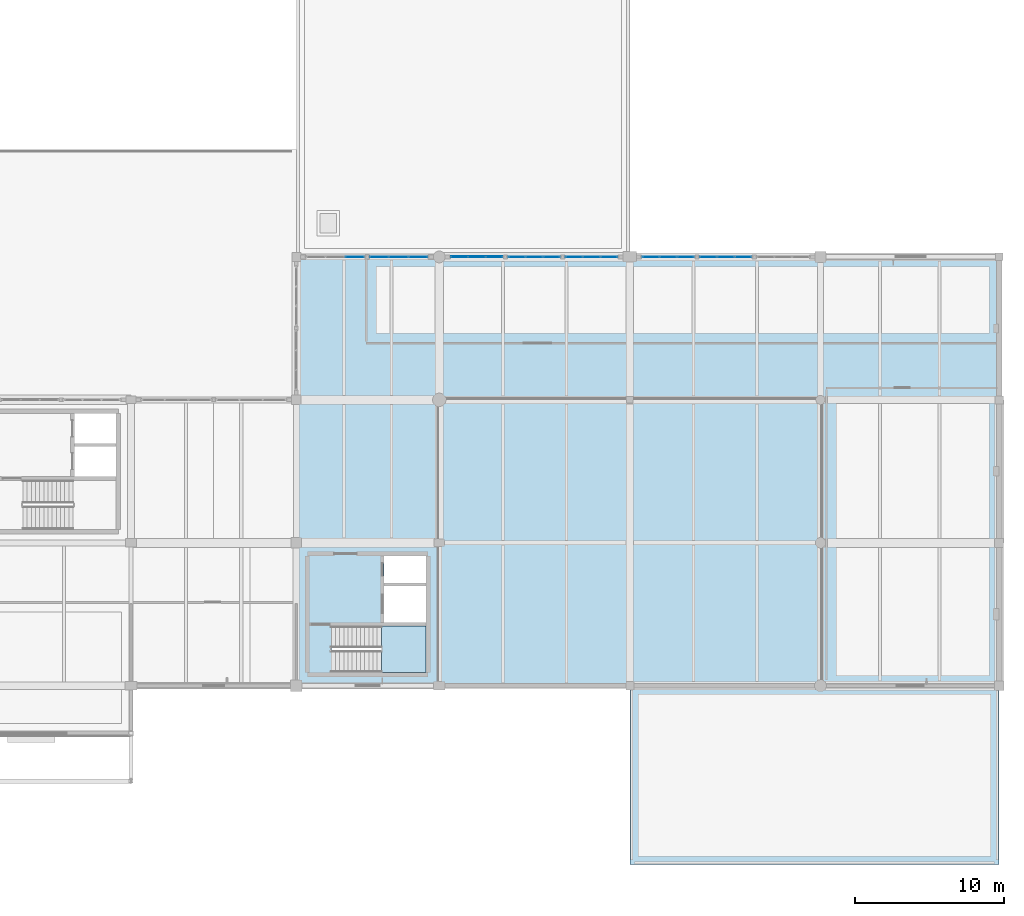
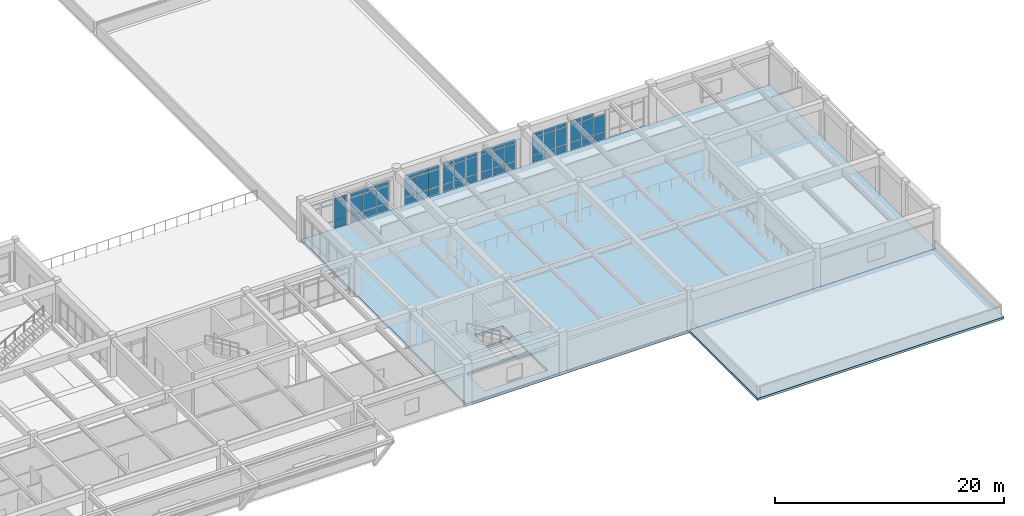
# One storey, part 80 of 109: 56 plates, 3 slabs, 8 elements without a shape of their own.
"""IFC4 building model written with IfcOpenShell, lengths in metres."""

from ifc_helpers import new_model, si_unit, direction, frame, origin, origin_2d, place, context, subcontext, project, spatial, polyline, rectangle, outline, extrude, material, layer, layer_set, type_object, element, aggregate, save


model = new_model("IFC4")

# Units and contexts
model_context = context("Model", 3, precision=1e-05, world=origin(), true_north=direction((0.0, 1.0)))
body_context = subcontext(model_context, "Body", "Model", "MODEL_VIEW")
ifc_project = project(units=[si_unit("LENGTHUNIT", "METRE"), si_unit("AREAUNIT", "SQUARE_METRE"), si_unit("VOLUMEUNIT", "CUBIC_METRE"), si_unit("PLANEANGLEUNIT", "RADIAN"), si_unit("MASSUNIT", "GRAM", prefix="KILO")], contexts=[model_context])

# Site, building, storey
site_placement = place(None, origin())
site = spatial("IfcSite", under=ifc_project, at=site_placement, CompositionType="ELEMENT")
building_placement = place(site_placement, origin())
building = spatial("IfcBuilding", under=site, at=building_placement, Name="Fikremerkos Civic Library", CompositionType="ELEMENT")
storey_placement = place(building_placement, frame((0.0, 0.0, 5.39990234375)))
storey = spatial("IfcBuildingStorey", under=building, at=storey_placement, Name="L01", CompositionType="ELEMENT", Elevation=5.39990234375)

# Curtain wall, plates
ifc_material_1 = material(Name="Anodized aluminium Frame", Category="aluminium")
ifc_layer_1 = layer(ifc_material_1, 0.159912109375, Name="Anodized aluminium Frame")
ifc_layer_set_1 = layer_set([ifc_layer_1], Name="Anodized aluminium Frame")
curtain_wall_type_1 = type_object("IfcCurtainWallType", Name="Unitised curtain wall CW-17 4600x3600", PredefinedType="USERDEFINED", material=ifc_layer_set_1)
curtain_wall_1_placement = place(storey_placement, origin())
curtain_wall_1 = element("IfcCurtainWall", 1, at=curtain_wall_1_placement, inside=storey, type_object=curtain_wall_type_1, Name="Unitised curtain wall CW-17 L01 #107", ObjectType="UNITISED CURTAIN WALL", PredefinedType="USERDEFINED")
ifc_material_2 = material(Name="Solar control double glazing", Category="glass")
ifc_layer_2 = layer(ifc_material_2, 0.028076171875, Name="Solar control double glazing")
ifc_layer_set_2 = layer_set([ifc_layer_2], Name="Solar control double glazing")
plate_type_1 = type_object("IfcPlateType", Name="Curtain glazing panel CWP-01 28", PredefinedType="CURTAIN_PANEL", material=ifc_layer_set_2)
plate_1_placement = place(storey_placement, frame((139.607421875, 40.800048828125, 0.070068359375), z_axis=(0.0, 0.0, 1.0), x_axis=(1.0, 0.0, 0.0)))
plate_1 = element("IfcPlate", 2, at=plate_1_placement, type_object=plate_type_1, Name="CW-17 panel 1.1", PredefinedType="CURTAIN_PANEL", context=body_context, shape_type="SweptSolid", body=[
    extrude(rectangle(XDim=1.086181640625, YDim=0.028076171875, at=origin_2d()), origin(), (0.0, 0.0, 1.0), 0.7451171875),
])
plate_2_placement = place(storey_placement, frame((139.607421875, 40.800048828125, 0.885009765625), z_axis=(0.0, 0.0, 1.0), x_axis=(1.0, 0.0, 0.0)))
plate_2 = element("IfcPlate", 3, at=plate_2_placement, type_object=plate_type_1, Name="CW-17 panel 1.2", PredefinedType="CURTAIN_PANEL", context=body_context, shape_type="SweptSolid", body=[
    extrude(rectangle(XDim=1.086181640625, YDim=0.028076171875, at=origin_2d()), origin(), (0.0, 0.0, 1.0), 1.7900390625),
])
plate_3_placement = place(storey_placement, frame((139.607421875, 40.800048828125, 2.7451171875), z_axis=(0.0, 0.0, 1.0), x_axis=(1.0, 0.0, 0.0)))
plate_3 = element("IfcPlate", 4, at=plate_3_placement, type_object=plate_type_1, Name="CW-17 panel 1.3", PredefinedType="CURTAIN_PANEL", context=body_context, shape_type="SweptSolid", body=[
    extrude(rectangle(XDim=1.086181640625, YDim=0.028076171875, at=origin_2d()), origin(), (0.0, 0.0, 1.0), 0.445068359375),
])
plate_4_placement = place(storey_placement, frame((140.77490234375, 40.800048828125, 0.070068359375), z_axis=(0.0, 0.0, 1.0), x_axis=(1.0, 0.0, 0.0)))
plate_4 = element("IfcPlate", 5, at=plate_4_placement, type_object=plate_type_1, Name="CW-17 panel 2.1", PredefinedType="CURTAIN_PANEL", context=body_context, shape_type="SweptSolid", body=[
    extrude(rectangle(XDim=1.118896484375, YDim=0.028076171875, at=origin_2d()), origin(), (0.0, 0.0, 1.0), 0.7451171875),
])
plate_5_placement = place(storey_placement, frame((140.77490234375, 40.800048828125, 0.885009765625), z_axis=(0.0, 0.0, 1.0), x_axis=(1.0, 0.0, 0.0)))
plate_5 = element("IfcPlate", 6, at=plate_5_placement, type_object=plate_type_1, Name="CW-17 panel 2.2", PredefinedType="CURTAIN_PANEL", context=body_context, shape_type="SweptSolid", body=[
    extrude(rectangle(XDim=1.118896484375, YDim=0.028076171875, at=origin_2d()), origin(), (0.0, 0.0, 1.0), 1.7900390625),
])
plate_6_placement = place(storey_placement, frame((140.77490234375, 40.800048828125, 2.7451171875), z_axis=(0.0, 0.0, 1.0), x_axis=(1.0, 0.0, 0.0)))
plate_6 = element("IfcPlate", 7, at=plate_6_placement, type_object=plate_type_1, Name="CW-17 panel 2.3", PredefinedType="CURTAIN_PANEL", context=body_context, shape_type="SweptSolid", body=[
    extrude(rectangle(XDim=1.118896484375, YDim=0.028076171875, at=origin_2d()), origin(), (0.0, 0.0, 1.0), 0.445068359375),
])
plate_7_placement = place(storey_placement, frame((141.942626953125, 40.800048828125, 0.070068359375), z_axis=(0.0, 0.0, 1.0), x_axis=(1.0, 0.0, 0.0)))
plate_7 = element("IfcPlate", 8, at=plate_7_placement, type_object=plate_type_1, Name="CW-17 panel 3.1", PredefinedType="CURTAIN_PANEL", context=body_context, shape_type="SweptSolid", body=[
    extrude(rectangle(XDim=1.086181640625, YDim=0.028076171875, at=origin_2d()), origin(), (0.0, 0.0, 1.0), 0.7451171875),
])
plate_8_placement = place(storey_placement, frame((141.942626953125, 40.800048828125, 0.885009765625), z_axis=(0.0, 0.0, 1.0), x_axis=(1.0, 0.0, 0.0)))
plate_8 = element("IfcPlate", 9, at=plate_8_placement, type_object=plate_type_1, Name="CW-17 panel 3.2", PredefinedType="CURTAIN_PANEL", context=body_context, shape_type="SweptSolid", body=[
    extrude(rectangle(XDim=1.086181640625, YDim=0.028076171875, at=origin_2d()), origin(), (0.0, 0.0, 1.0), 1.7900390625),
])
plate_9_placement = place(storey_placement, frame((141.942626953125, 40.800048828125, 2.7451171875), z_axis=(0.0, 0.0, 1.0), x_axis=(1.0, 0.0, 0.0)))
plate_9 = element("IfcPlate", 10, at=plate_9_placement, type_object=plate_type_1, Name="CW-17 panel 3.3", PredefinedType="CURTAIN_PANEL", context=body_context, shape_type="SweptSolid", body=[
    extrude(rectangle(XDim=1.086181640625, YDim=0.028076171875, at=origin_2d()), origin(), (0.0, 0.0, 1.0), 0.445068359375),
])
aggregate(curtain_wall_1, [plate_1, plate_2, plate_3, plate_4, plate_5, plate_6, plate_7, plate_8, plate_9])

ifc_layer_3 = layer(ifc_material_1, 0.159912109375, Name="Anodized aluminium Frame")
ifc_layer_set_3 = layer_set([ifc_layer_3], Name="Anodized aluminium Frame")
curtain_wall_type_2 = type_object("IfcCurtainWallType", Name="Unitised curtain wall CW-01 3600x3600", PredefinedType="USERDEFINED", material=ifc_layer_set_3)
curtain_wall_2_placement = place(storey_placement, origin())
curtain_wall_2 = element("IfcCurtainWall", 11, at=curtain_wall_2_placement, inside=storey, type_object=curtain_wall_type_2, Name="Unitised curtain wall CW-01 L01 #109", ObjectType="UNITISED CURTAIN WALL", PredefinedType="USERDEFINED")
plate_10_placement = place(storey_placement, frame((148.607421875, 40.800048828125, 0.070068359375), z_axis=(0.0, 0.0, 1.0), x_axis=(1.0, 0.0, 0.0)))
plate_10 = element("IfcPlate", 12, at=plate_10_placement, type_object=plate_type_1, Name="CW-01 panel 1.1", PredefinedType="CURTAIN_PANEL", context=body_context, shape_type="SweptSolid", body=[
    extrude(rectangle(XDim=1.089111328125, YDim=0.028076171875, at=origin_2d()), origin(), (0.0, 0.0, 1.0), 0.7451171875),
])
plate_11_placement = place(storey_placement, frame((148.607421875, 40.800048828125, 0.885009765625), z_axis=(0.0, 0.0, 1.0), x_axis=(1.0, 0.0, 0.0)))
plate_11 = element("IfcPlate", 13, at=plate_11_placement, type_object=plate_type_1, Name="CW-01 panel 1.2", PredefinedType="CURTAIN_PANEL", context=body_context, shape_type="SweptSolid", body=[
    extrude(rectangle(XDim=1.089111328125, YDim=0.028076171875, at=origin_2d()), origin(), (0.0, 0.0, 1.0), 1.7900390625),
])
plate_12_placement = place(storey_placement, frame((148.607421875, 40.800048828125, 2.7451171875), z_axis=(0.0, 0.0, 1.0), x_axis=(1.0, 0.0, 0.0)))
plate_12 = element("IfcPlate", 14, at=plate_12_placement, type_object=plate_type_1, Name="CW-01 panel 1.3", PredefinedType="CURTAIN_PANEL", context=body_context, shape_type="SweptSolid", body=[
    extrude(rectangle(XDim=1.089111328125, YDim=0.028076171875, at=origin_2d()), origin(), (0.0, 0.0, 1.0), 0.445068359375),
])
plate_13_placement = place(storey_placement, frame((149.77783203125, 40.800048828125, 0.070068359375), z_axis=(0.0, 0.0, 1.0), x_axis=(1.0, 0.0, 0.0)))
plate_13 = element("IfcPlate", 15, at=plate_13_placement, type_object=plate_type_1, Name="CW-01 panel 2.1", PredefinedType="CURTAIN_PANEL", context=body_context, shape_type="SweptSolid", body=[
    extrude(rectangle(XDim=1.12158203125, YDim=0.028076171875, at=origin_2d()), origin(), (0.0, 0.0, 1.0), 0.7451171875),
])
plate_14_placement = place(storey_placement, frame((149.77783203125, 40.800048828125, 0.885009765625), z_axis=(0.0, 0.0, 1.0), x_axis=(1.0, 0.0, 0.0)))
plate_14 = element("IfcPlate", 16, at=plate_14_placement, type_object=plate_type_1, Name="CW-01 panel 2.2", PredefinedType="CURTAIN_PANEL", context=body_context, shape_type="SweptSolid", body=[
    extrude(rectangle(XDim=1.12158203125, YDim=0.028076171875, at=origin_2d()), origin(), (0.0, 0.0, 1.0), 1.7900390625),
])
plate_15_placement = place(storey_placement, frame((149.77783203125, 40.800048828125, 2.7451171875), z_axis=(0.0, 0.0, 1.0), x_axis=(1.0, 0.0, 0.0)))
plate_15 = element("IfcPlate", 17, at=plate_15_placement, type_object=plate_type_1, Name="CW-01 panel 2.3", PredefinedType="CURTAIN_PANEL", context=body_context, shape_type="SweptSolid", body=[
    extrude(rectangle(XDim=1.12158203125, YDim=0.028076171875, at=origin_2d()), origin(), (0.0, 0.0, 1.0), 0.445068359375),
])
plate_16_placement = place(storey_placement, frame((150.9482421875, 40.800048828125, 0.070068359375), z_axis=(0.0, 0.0, 1.0), x_axis=(1.0, 0.0, 0.0)))
plate_16 = element("IfcPlate", 18, at=plate_16_placement, type_object=plate_type_1, Name="CW-01 panel 3.1", PredefinedType="CURTAIN_PANEL", context=body_context, shape_type="SweptSolid", body=[
    extrude(rectangle(XDim=1.089111328125, YDim=0.028076171875, at=origin_2d()), origin(), (0.0, 0.0, 1.0), 0.7451171875),
])
plate_17_placement = place(storey_placement, frame((150.9482421875, 40.800048828125, 0.885009765625), z_axis=(0.0, 0.0, 1.0), x_axis=(1.0, 0.0, 0.0)))
plate_17 = element("IfcPlate", 19, at=plate_17_placement, type_object=plate_type_1, Name="CW-01 panel 3.2", PredefinedType="CURTAIN_PANEL", context=body_context, shape_type="SweptSolid", body=[
    extrude(rectangle(XDim=1.089111328125, YDim=0.028076171875, at=origin_2d()), origin(), (0.0, 0.0, 1.0), 1.7900390625),
])
plate_18_placement = place(storey_placement, frame((150.9482421875, 40.800048828125, 2.7451171875), z_axis=(0.0, 0.0, 1.0), x_axis=(1.0, 0.0, 0.0)))
plate_18 = element("IfcPlate", 20, at=plate_18_placement, type_object=plate_type_1, Name="CW-01 panel 3.3", PredefinedType="CURTAIN_PANEL", context=body_context, shape_type="SweptSolid", body=[
    extrude(rectangle(XDim=1.089111328125, YDim=0.028076171875, at=origin_2d()), origin(), (0.0, 0.0, 1.0), 0.445068359375),
])
aggregate(curtain_wall_2, [plate_10, plate_11, plate_12, plate_13, plate_14, plate_15, plate_16, plate_17, plate_18])

ifc_layer_4 = layer(ifc_material_1, 0.159912109375, Name="Anodized aluminium Frame")
ifc_layer_set_4 = layer_set([ifc_layer_4], Name="Anodized aluminium Frame")
curtain_wall_type_3 = type_object("IfcCurtainWallType", Name="Unitised curtain wall CW-14 4100x3200", PredefinedType="USERDEFINED", material=ifc_layer_set_4)
curtain_wall_3_placement = place(storey_placement, origin())
curtain_wall_3 = element("IfcCurtainWall", 21, at=curtain_wall_3_placement, inside=storey, type_object=curtain_wall_type_3, Name="Unitised curtain wall CW-14 L01 #104", ObjectType="UNITISED CURTAIN WALL", PredefinedType="USERDEFINED")
ifc_layer_5 = layer(ifc_material_2, 0.035888671875, Name="Solar control double glazing")
ifc_layer_set_5 = layer_set([ifc_layer_5], Name="Solar control double glazing")
plate_type_2 = type_object("IfcPlateType", Name="Curtain glazing panel CWP-02 36", PredefinedType="CURTAIN_PANEL", material=ifc_layer_set_5)
plate_19_placement = place(storey_placement, frame((128.726318359375, 40.800048828125, 0.06005859375), z_axis=(0.0, 0.0, 1.0), x_axis=(1.0, 0.0, 0.0)))
plate_19 = element("IfcPlate", 22, at=plate_19_placement, type_object=plate_type_2, Name="CW-14 panel 3.1", PredefinedType="CURTAIN_PANEL", context=body_context, shape_type="SweptSolid", body=[
    extrude(rectangle(XDim=1.227294921875, YDim=0.035888671875, at=origin_2d()), origin(), (0.0, 0.0, 1.0), 0.760009765625),
])
plate_20_placement = place(storey_placement, frame((128.726318359375, 40.800048828125, 0.8798828125), z_axis=(0.0, 0.0, 1.0), x_axis=(1.0, 0.0, 0.0)))
plate_20 = element("IfcPlate", 23, at=plate_20_placement, type_object=plate_type_2, Name="CW-14 panel 3.2", PredefinedType="CURTAIN_PANEL", context=body_context, shape_type="SweptSolid", body=[
    extrude(rectangle(XDim=1.227294921875, YDim=0.035888671875, at=origin_2d()), origin(), (0.0, 0.0, 1.0), 1.800048828125),
])
plate_21_placement = place(storey_placement, frame((128.726318359375, 40.800048828125, 2.740234375), z_axis=(0.0, 0.0, 1.0), x_axis=(1.0, 0.0, 0.0)))
plate_21 = element("IfcPlate", 24, at=plate_21_placement, type_object=plate_type_2, Name="CW-14 panel 3.3", PredefinedType="CURTAIN_PANEL", context=body_context, shape_type="SweptSolid", body=[
    extrude(rectangle(XDim=1.227294921875, YDim=0.035888671875, at=origin_2d()), origin(), (0.0, 0.0, 1.0), 0.4599609375),
])
aggregate(curtain_wall_3, [plate_19, plate_20, plate_21])

ifc_layer_6 = layer(ifc_material_1, 0.159912109375, Name="Anodized aluminium Frame")
ifc_layer_set_6 = layer_set([ifc_layer_6], Name="Anodized aluminium Frame")
curtain_wall_type_4 = type_object("IfcCurtainWallType", Name="Unitised curtain wall CW-18 2700x3400", PredefinedType="USERDEFINED", material=ifc_layer_set_6)
curtain_wall_4_placement = place(storey_placement, origin())
curtain_wall_4 = element("IfcCurtainWall", 25, at=curtain_wall_4_placement, inside=storey, type_object=curtain_wall_type_4, Name="Unitised curtain wall CW-18 L01 #108", ObjectType="UNITISED CURTAIN WALL", PredefinedType="USERDEFINED")
plate_22_placement = place(storey_placement, frame((143.45751953125, 40.800048828125, 0.070068359375), z_axis=(0.0, 0.0, 1.0), x_axis=(1.0, 0.0, 0.0)))
plate_22 = element("IfcPlate", 26, at=plate_22_placement, type_object=plate_type_2, Name="CW-18 panel 1.1", PredefinedType="CURTAIN_PANEL", context=body_context, shape_type="SweptSolid", body=[
    extrude(rectangle(XDim=1.09375, YDim=0.035888671875, at=origin_2d()), origin(), (0.0, 0.0, 1.0), 0.7451171875),
])
plate_23_placement = place(storey_placement, frame((143.45751953125, 40.800048828125, 0.885009765625), z_axis=(0.0, 0.0, 1.0), x_axis=(1.0, 0.0, 0.0)))
plate_23 = element("IfcPlate", 27, at=plate_23_placement, type_object=plate_type_2, Name="CW-18 panel 1.2", PredefinedType="CURTAIN_PANEL", context=body_context, shape_type="SweptSolid", body=[
    extrude(rectangle(XDim=1.09375, YDim=0.035888671875, at=origin_2d()), origin(), (0.0, 0.0, 1.0), 1.7900390625),
])
plate_24_placement = place(storey_placement, frame((143.45751953125, 40.800048828125, 2.7451171875), z_axis=(0.0, 0.0, 1.0), x_axis=(1.0, 0.0, 0.0)))
plate_24 = element("IfcPlate", 28, at=plate_24_placement, type_object=plate_type_2, Name="CW-18 panel 1.3", PredefinedType="CURTAIN_PANEL", context=body_context, shape_type="SweptSolid", body=[
    extrude(rectangle(XDim=1.09375, YDim=0.035888671875, at=origin_2d()), origin(), (0.0, 0.0, 1.0), 0.445068359375),
])
plate_25_placement = place(storey_placement, frame((144.626220703125, 40.800048828125, 0.070068359375), z_axis=(0.0, 0.0, 1.0), x_axis=(1.0, 0.0, 0.0)))
plate_25 = element("IfcPlate", 29, at=plate_25_placement, type_object=plate_type_2, Name="CW-18 panel 2.1", PredefinedType="CURTAIN_PANEL", context=body_context, shape_type="SweptSolid", body=[
    extrude(rectangle(XDim=1.123779296875, YDim=0.035888671875, at=origin_2d()), origin(), (0.0, 0.0, 1.0), 0.7451171875),
])
plate_26_placement = place(storey_placement, frame((144.626220703125, 40.800048828125, 0.885009765625), z_axis=(0.0, 0.0, 1.0), x_axis=(1.0, 0.0, 0.0)))
plate_26 = element("IfcPlate", 30, at=plate_26_placement, type_object=plate_type_2, Name="CW-18 panel 2.2", PredefinedType="CURTAIN_PANEL", context=body_context, shape_type="SweptSolid", body=[
    extrude(rectangle(XDim=1.123779296875, YDim=0.035888671875, at=origin_2d()), origin(), (0.0, 0.0, 1.0), 1.7900390625),
])
plate_27_placement = place(storey_placement, frame((144.626220703125, 40.800048828125, 2.7451171875), z_axis=(0.0, 0.0, 1.0), x_axis=(1.0, 0.0, 0.0)))
plate_27 = element("IfcPlate", 31, at=plate_27_placement, type_object=plate_type_2, Name="CW-18 panel 2.3", PredefinedType="CURTAIN_PANEL", context=body_context, shape_type="SweptSolid", body=[
    extrude(rectangle(XDim=1.123779296875, YDim=0.035888671875, at=origin_2d()), origin(), (0.0, 0.0, 1.0), 0.445068359375),
])
plate_28_placement = place(storey_placement, frame((145.795166015625, 40.800048828125, 0.070068359375), z_axis=(0.0, 0.0, 1.0), x_axis=(1.0, 0.0, 0.0)))
plate_28 = element("IfcPlate", 32, at=plate_28_placement, type_object=plate_type_2, Name="CW-18 panel 3.1", PredefinedType="CURTAIN_PANEL", context=body_context, shape_type="SweptSolid", body=[
    extrude(rectangle(XDim=1.09375, YDim=0.035888671875, at=origin_2d()), origin(), (0.0, 0.0, 1.0), 0.7451171875),
])
plate_29_placement = place(storey_placement, frame((145.795166015625, 40.800048828125, 0.885009765625), z_axis=(0.0, 0.0, 1.0), x_axis=(1.0, 0.0, 0.0)))
plate_29 = element("IfcPlate", 33, at=plate_29_placement, type_object=plate_type_2, Name="CW-18 panel 3.2", PredefinedType="CURTAIN_PANEL", context=body_context, shape_type="SweptSolid", body=[
    extrude(rectangle(XDim=1.09375, YDim=0.035888671875, at=origin_2d()), origin(), (0.0, 0.0, 1.0), 1.7900390625),
])
plate_30_placement = place(storey_placement, frame((145.795166015625, 40.800048828125, 2.7451171875), z_axis=(0.0, 0.0, 1.0), x_axis=(1.0, 0.0, 0.0)))
plate_30 = element("IfcPlate", 34, at=plate_30_placement, type_object=plate_type_2, Name="CW-18 panel 3.3", PredefinedType="CURTAIN_PANEL", context=body_context, shape_type="SweptSolid", body=[
    extrude(rectangle(XDim=1.09375, YDim=0.035888671875, at=origin_2d()), origin(), (0.0, 0.0, 1.0), 0.445068359375),
])
aggregate(curtain_wall_4, [plate_22, plate_23, plate_24, plate_25, plate_26, plate_27, plate_28, plate_29, plate_30])

ifc_layer_7 = layer(ifc_material_1, 0.159912109375, Name="Anodized aluminium Frame")
ifc_layer_set_7 = layer_set([ifc_layer_7], Name="Anodized aluminium Frame")
curtain_wall_type_5 = type_object("IfcCurtainWallType", Name="Unitised curtain wall CW-02 3900x3600", PredefinedType="USERDEFINED", material=ifc_layer_set_7)
curtain_wall_5_placement = place(storey_placement, origin())
curtain_wall_5 = element("IfcCurtainWall", 35, at=curtain_wall_5_placement, inside=storey, type_object=curtain_wall_type_5, Name="Unitised curtain wall CW-02 L01 #110", ObjectType="UNITISED CURTAIN WALL", PredefinedType="USERDEFINED")
plate_31_placement = place(storey_placement, frame((152.466064453125, 40.800048828125, 0.070068359375), z_axis=(0.0, 0.0, 1.0), x_axis=(1.0, 0.0, 0.0)))
plate_31 = element("IfcPlate", 36, at=plate_31_placement, type_object=plate_type_2, Name="CW-02 panel 1.1", PredefinedType="CURTAIN_PANEL", context=body_context, shape_type="SweptSolid", body=[
    extrude(rectangle(XDim=1.096435546875, YDim=0.035888671875, at=origin_2d()), origin(), (0.0, 0.0, 1.0), 0.7451171875),
])
plate_32_placement = place(storey_placement, frame((152.466064453125, 40.800048828125, 0.885009765625), z_axis=(0.0, 0.0, 1.0), x_axis=(1.0, 0.0, 0.0)))
plate_32 = element("IfcPlate", 37, at=plate_32_placement, type_object=plate_type_2, Name="CW-02 panel 1.2", PredefinedType="CURTAIN_PANEL", context=body_context, shape_type="SweptSolid", body=[
    extrude(rectangle(XDim=1.096435546875, YDim=0.035888671875, at=origin_2d()), origin(), (0.0, 0.0, 1.0), 1.7900390625),
])
plate_33_placement = place(storey_placement, frame((152.466064453125, 40.800048828125, 2.7451171875), z_axis=(0.0, 0.0, 1.0), x_axis=(1.0, 0.0, 0.0)))
plate_33 = element("IfcPlate", 38, at=plate_33_placement, type_object=plate_type_2, Name="CW-02 panel 1.3", PredefinedType="CURTAIN_PANEL", context=body_context, shape_type="SweptSolid", body=[
    extrude(rectangle(XDim=1.096435546875, YDim=0.035888671875, at=origin_2d()), origin(), (0.0, 0.0, 1.0), 0.445068359375),
])
plate_34_placement = place(storey_placement, frame((153.637451171875, 40.800048828125, 0.070068359375), z_axis=(0.0, 0.0, 1.0), x_axis=(1.0, 0.0, 0.0)))
plate_34 = element("IfcPlate", 39, at=plate_34_placement, type_object=plate_type_2, Name="CW-02 panel 2.1", PredefinedType="CURTAIN_PANEL", context=body_context, shape_type="SweptSolid", body=[
    extrude(rectangle(XDim=1.12646484375, YDim=0.035888671875, at=origin_2d()), origin(), (0.0, 0.0, 1.0), 0.7451171875),
])
plate_35_placement = place(storey_placement, frame((153.637451171875, 40.800048828125, 0.885009765625), z_axis=(0.0, 0.0, 1.0), x_axis=(1.0, 0.0, 0.0)))
plate_35 = element("IfcPlate", 40, at=plate_35_placement, type_object=plate_type_2, Name="CW-02 panel 2.2", PredefinedType="CURTAIN_PANEL", context=body_context, shape_type="SweptSolid", body=[
    extrude(rectangle(XDim=1.12646484375, YDim=0.035888671875, at=origin_2d()), origin(), (0.0, 0.0, 1.0), 1.7900390625),
])
plate_36_placement = place(storey_placement, frame((153.637451171875, 40.800048828125, 2.7451171875), z_axis=(0.0, 0.0, 1.0), x_axis=(1.0, 0.0, 0.0)))
plate_36 = element("IfcPlate", 41, at=plate_36_placement, type_object=plate_type_2, Name="CW-02 panel 2.3", PredefinedType="CURTAIN_PANEL", context=body_context, shape_type="SweptSolid", body=[
    extrude(rectangle(XDim=1.12646484375, YDim=0.035888671875, at=origin_2d()), origin(), (0.0, 0.0, 1.0), 0.445068359375),
])
plate_37_placement = place(storey_placement, frame((154.80908203125, 40.800048828125, 0.070068359375), z_axis=(0.0, 0.0, 1.0), x_axis=(1.0, 0.0, 0.0)))
plate_37 = element("IfcPlate", 42, at=plate_37_placement, type_object=plate_type_2, Name="CW-02 panel 3.1", PredefinedType="CURTAIN_PANEL", context=body_context, shape_type="SweptSolid", body=[
    extrude(rectangle(XDim=1.096435546875, YDim=0.035888671875, at=origin_2d()), origin(), (0.0, 0.0, 1.0), 0.7451171875),
])
plate_38_placement = place(storey_placement, frame((154.80908203125, 40.800048828125, 0.885009765625), z_axis=(0.0, 0.0, 1.0), x_axis=(1.0, 0.0, 0.0)))
plate_38 = element("IfcPlate", 43, at=plate_38_placement, type_object=plate_type_2, Name="CW-02 panel 3.2", PredefinedType="CURTAIN_PANEL", context=body_context, shape_type="SweptSolid", body=[
    extrude(rectangle(XDim=1.096435546875, YDim=0.035888671875, at=origin_2d()), origin(), (0.0, 0.0, 1.0), 1.7900390625),
])
aggregate(curtain_wall_5, [plate_31, plate_32, plate_33, plate_34, plate_35, plate_36, plate_37, plate_38])

ifc_layer_8 = layer(ifc_material_1, 0.159912109375, Name="Anodized aluminium Frame")
ifc_layer_set_8 = layer_set([ifc_layer_8], Name="Anodized aluminium Frame")
curtain_wall_type_6 = type_object("IfcCurtainWallType", Name="Unitised curtain wall CW-15 2900x3600", PredefinedType="USERDEFINED", material=ifc_layer_set_8)
curtain_wall_6_placement = place(storey_placement, origin())
curtain_wall_6 = element("IfcCurtainWall", 44, at=curtain_wall_6_placement, inside=storey, type_object=curtain_wall_type_6, Name="Unitised curtain wall CW-15 L01 #105", ObjectType="UNITISED CURTAIN WALL", PredefinedType="USERDEFINED")
ifc_material_3 = material(Name="Insulated aluminium spandrel", Category="aluminium")
ifc_layer_9 = layer(ifc_material_3, 0.044921875, Name="Insulated aluminium spandrel")
ifc_layer_set_9 = layer_set([ifc_layer_9], Name="Insulated aluminium spandrel")
plate_type_3 = type_object("IfcPlateType", Name="Curtain spandrel panel CSP-01 45", PredefinedType="CURTAIN_PANEL", material=ifc_layer_set_9)
plate_39_placement = place(storey_placement, frame((130.373779296875, 40.800048828125, 0.070068359375), z_axis=(0.0, 0.0, 1.0), x_axis=(1.0, 0.0, 0.0)))
plate_39 = element("IfcPlate", 45, at=plate_39_placement, type_object=plate_type_3, Name="CW-15 panel 1.1", PredefinedType="CURTAIN_PANEL", context=body_context, shape_type="SweptSolid", body=[
    extrude(rectangle(XDim=1.227294921875, YDim=0.044921875, at=origin_2d()), origin(), (0.0, 0.0, 1.0), 0.7451171875),
])
plate_40_placement = place(storey_placement, frame((130.373779296875, 40.800048828125, 0.885009765625), z_axis=(0.0, 0.0, 1.0), x_axis=(1.0, 0.0, 0.0)))
plate_40 = element("IfcPlate", 46, at=plate_40_placement, type_object=plate_type_3, Name="CW-15 panel 1.2", PredefinedType="CURTAIN_PANEL", context=body_context, shape_type="SweptSolid", body=[
    extrude(rectangle(XDim=1.227294921875, YDim=0.044921875, at=origin_2d()), origin(), (0.0, 0.0, 1.0), 1.7900390625),
])
plate_41_placement = place(storey_placement, frame((130.373779296875, 40.800048828125, 2.7451171875), z_axis=(0.0, 0.0, 1.0), x_axis=(1.0, 0.0, 0.0)))
plate_41 = element("IfcPlate", 47, at=plate_41_placement, type_object=plate_type_3, Name="CW-15 panel 1.3", PredefinedType="CURTAIN_PANEL", context=body_context, shape_type="SweptSolid", body=[
    extrude(rectangle(XDim=1.227294921875, YDim=0.044921875, at=origin_2d()), origin(), (0.0, 0.0, 1.0), 0.445068359375),
])
plate_42_placement = place(storey_placement, frame((131.676025390625, 40.800048828125, 0.070068359375), z_axis=(0.0, 0.0, 1.0), x_axis=(1.0, 0.0, 0.0)))
plate_42 = element("IfcPlate", 48, at=plate_42_placement, type_object=plate_type_3, Name="CW-15 panel 2.1", PredefinedType="CURTAIN_PANEL", context=body_context, shape_type="SweptSolid", body=[
    extrude(rectangle(XDim=1.25732421875, YDim=0.044921875, at=origin_2d()), origin(), (0.0, 0.0, 1.0), 0.7451171875),
])
plate_43_placement = place(storey_placement, frame((131.676025390625, 40.800048828125, 0.885009765625), z_axis=(0.0, 0.0, 1.0), x_axis=(1.0, 0.0, 0.0)))
plate_43 = element("IfcPlate", 49, at=plate_43_placement, type_object=plate_type_3, Name="CW-15 panel 2.2", PredefinedType="CURTAIN_PANEL", context=body_context, shape_type="SweptSolid", body=[
    extrude(rectangle(XDim=1.25732421875, YDim=0.044921875, at=origin_2d()), origin(), (0.0, 0.0, 1.0), 1.7900390625),
])
plate_44_placement = place(storey_placement, frame((131.676025390625, 40.800048828125, 2.7451171875), z_axis=(0.0, 0.0, 1.0), x_axis=(1.0, 0.0, 0.0)))
plate_44 = element("IfcPlate", 50, at=plate_44_placement, type_object=plate_type_3, Name="CW-15 panel 2.3", PredefinedType="CURTAIN_PANEL", context=body_context, shape_type="SweptSolid", body=[
    extrude(rectangle(XDim=1.25732421875, YDim=0.044921875, at=origin_2d()), origin(), (0.0, 0.0, 1.0), 0.445068359375),
])
plate_45_placement = place(storey_placement, frame((132.978271484375, 40.800048828125, 0.070068359375), z_axis=(0.0, 0.0, 1.0), x_axis=(1.0, 0.0, 0.0)))
plate_45 = element("IfcPlate", 51, at=plate_45_placement, type_object=plate_type_3, Name="CW-15 panel 3.1", PredefinedType="CURTAIN_PANEL", context=body_context, shape_type="SweptSolid", body=[
    extrude(rectangle(XDim=1.227294921875, YDim=0.044921875, at=origin_2d()), origin(), (0.0, 0.0, 1.0), 0.7451171875),
])
plate_46_placement = place(storey_placement, frame((132.978271484375, 40.800048828125, 0.885009765625), z_axis=(0.0, 0.0, 1.0), x_axis=(1.0, 0.0, 0.0)))
plate_46 = element("IfcPlate", 52, at=plate_46_placement, type_object=plate_type_3, Name="CW-15 panel 3.2", PredefinedType="CURTAIN_PANEL", context=body_context, shape_type="SweptSolid", body=[
    extrude(rectangle(XDim=1.227294921875, YDim=0.044921875, at=origin_2d()), origin(), (0.0, 0.0, 1.0), 1.7900390625),
])
plate_47_placement = place(storey_placement, frame((132.978271484375, 40.800048828125, 2.7451171875), z_axis=(0.0, 0.0, 1.0), x_axis=(1.0, 0.0, 0.0)))
plate_47 = element("IfcPlate", 53, at=plate_47_placement, type_object=plate_type_3, Name="CW-15 panel 3.3", PredefinedType="CURTAIN_PANEL", context=body_context, shape_type="SweptSolid", body=[
    extrude(rectangle(XDim=1.227294921875, YDim=0.044921875, at=origin_2d()), origin(), (0.0, 0.0, 1.0), 0.445068359375),
])
aggregate(curtain_wall_6, [plate_39, plate_40, plate_41, plate_42, plate_43, plate_44, plate_45, plate_46, plate_47])

ifc_layer_10 = layer(ifc_material_1, 0.159912109375, Name="Anodized aluminium Frame")
ifc_layer_set_10 = layer_set([ifc_layer_10], Name="Anodized aluminium Frame")
curtain_wall_type_7 = type_object("IfcCurtainWallType", Name="Unitised curtain wall CW-16 3100x4100", PredefinedType="USERDEFINED", material=ifc_layer_set_10)
curtain_wall_7_placement = place(storey_placement, origin())
curtain_wall_7 = element("IfcCurtainWall", 54, at=curtain_wall_7_placement, inside=storey, type_object=curtain_wall_type_7, Name="Unitised curtain wall CW-16 L01 #106", ObjectType="UNITISED CURTAIN WALL", PredefinedType="USERDEFINED")
ifc_layer_11 = layer(ifc_material_3, 0.054931640625, Name="Insulated aluminium spandrel")
ifc_layer_set_11 = layer_set([ifc_layer_11], Name="Insulated aluminium spandrel")
plate_type_4 = type_object("IfcPlateType", Name="Curtain spandrel panel CSP-02 55", PredefinedType="CURTAIN_PANEL", material=ifc_layer_set_11)
plate_48_placement = place(storey_placement, frame((135.7548828125, 40.800048828125, 0.070068359375), z_axis=(0.0, 0.0, 1.0), x_axis=(1.0, 0.0, 0.0)))
plate_48 = element("IfcPlate", 55, at=plate_48_placement, type_object=plate_type_4, Name="CW-16 panel 1.1", PredefinedType="CURTAIN_PANEL", context=body_context, shape_type="SweptSolid", body=[
    extrude(rectangle(XDim=1.09375, YDim=0.054931640625, at=origin_2d()), origin(), (0.0, 0.0, 1.0), 0.7451171875),
])
plate_49_placement = place(storey_placement, frame((135.7548828125, 40.800048828125, 0.885009765625), z_axis=(0.0, 0.0, 1.0), x_axis=(1.0, 0.0, 0.0)))
plate_49 = element("IfcPlate", 56, at=plate_49_placement, type_object=plate_type_4, Name="CW-16 panel 1.2", PredefinedType="CURTAIN_PANEL", context=body_context, shape_type="SweptSolid", body=[
    extrude(rectangle(XDim=1.09375, YDim=0.054931640625, at=origin_2d()), origin(), (0.0, 0.0, 1.0), 1.7900390625),
])
plate_50_placement = place(storey_placement, frame((135.7548828125, 40.800048828125, 2.7451171875), z_axis=(0.0, 0.0, 1.0), x_axis=(1.0, 0.0, 0.0)))
plate_50 = element("IfcPlate", 57, at=plate_50_placement, type_object=plate_type_4, Name="CW-16 panel 1.3", PredefinedType="CURTAIN_PANEL", context=body_context, shape_type="SweptSolid", body=[
    extrude(rectangle(XDim=1.09375, YDim=0.054931640625, at=origin_2d()), origin(), (0.0, 0.0, 1.0), 0.445068359375),
])
plate_51_placement = place(storey_placement, frame((136.923583984375, 40.800048828125, 0.070068359375), z_axis=(0.0, 0.0, 1.0), x_axis=(1.0, 0.0, 0.0)))
plate_51 = element("IfcPlate", 58, at=plate_51_placement, type_object=plate_type_4, Name="CW-16 panel 2.1", PredefinedType="CURTAIN_PANEL", context=body_context, shape_type="SweptSolid", body=[
    extrude(rectangle(XDim=1.123779296875, YDim=0.054931640625, at=origin_2d()), origin(), (0.0, 0.0, 1.0), 0.7451171875),
])
plate_52_placement = place(storey_placement, frame((136.923583984375, 40.800048828125, 0.885009765625), z_axis=(0.0, 0.0, 1.0), x_axis=(1.0, 0.0, 0.0)))
plate_52 = element("IfcPlate", 59, at=plate_52_placement, type_object=plate_type_4, Name="CW-16 panel 2.2", PredefinedType="CURTAIN_PANEL", context=body_context, shape_type="SweptSolid", body=[
    extrude(rectangle(XDim=1.123779296875, YDim=0.054931640625, at=origin_2d()), origin(), (0.0, 0.0, 1.0), 1.7900390625),
])
plate_53_placement = place(storey_placement, frame((136.923583984375, 40.800048828125, 2.7451171875), z_axis=(0.0, 0.0, 1.0), x_axis=(1.0, 0.0, 0.0)))
plate_53 = element("IfcPlate", 60, at=plate_53_placement, type_object=plate_type_4, Name="CW-16 panel 2.3", PredefinedType="CURTAIN_PANEL", context=body_context, shape_type="SweptSolid", body=[
    extrude(rectangle(XDim=1.123779296875, YDim=0.054931640625, at=origin_2d()), origin(), (0.0, 0.0, 1.0), 0.445068359375),
])
plate_54_placement = place(storey_placement, frame((138.092529296875, 40.800048828125, 0.070068359375), z_axis=(0.0, 0.0, 1.0), x_axis=(1.0, 0.0, 0.0)))
plate_54 = element("IfcPlate", 61, at=plate_54_placement, type_object=plate_type_4, Name="CW-16 panel 3.1", PredefinedType="CURTAIN_PANEL", context=body_context, shape_type="SweptSolid", body=[
    extrude(rectangle(XDim=1.09375, YDim=0.054931640625, at=origin_2d()), origin(), (0.0, 0.0, 1.0), 0.7451171875),
])
plate_55_placement = place(storey_placement, frame((138.092529296875, 40.800048828125, 0.885009765625), z_axis=(0.0, 0.0, 1.0), x_axis=(1.0, 0.0, 0.0)))
plate_55 = element("IfcPlate", 62, at=plate_55_placement, type_object=plate_type_4, Name="CW-16 panel 3.2", PredefinedType="CURTAIN_PANEL", context=body_context, shape_type="SweptSolid", body=[
    extrude(rectangle(XDim=1.09375, YDim=0.054931640625, at=origin_2d()), origin(), (0.0, 0.0, 1.0), 1.7900390625),
])
plate_56_placement = place(storey_placement, frame((138.092529296875, 40.800048828125, 2.7451171875), z_axis=(0.0, 0.0, 1.0), x_axis=(1.0, 0.0, 0.0)))
plate_56 = element("IfcPlate", 63, at=plate_56_placement, type_object=plate_type_4, Name="CW-16 panel 3.3", PredefinedType="CURTAIN_PANEL", context=body_context, shape_type="SweptSolid", body=[
    extrude(rectangle(XDim=1.09375, YDim=0.054931640625, at=origin_2d()), origin(), (0.0, 0.0, 1.0), 0.445068359375),
])
aggregate(curtain_wall_7, [plate_48, plate_49, plate_50, plate_51, plate_52, plate_53, plate_54, plate_55, plate_56])

# Stair, slab
ifc_material_4 = material(Name="Concrete C40/50", Category="concrete")
stair_type = type_object("IfcStairType", Name="Half turn stair ST-HT-09 W1450 H4500", PredefinedType="HALF_TURN_STAIR", material=ifc_material_4)
stair_placement = place(storey_placement, origin())
stair = element("IfcStair", 64, at=stair_placement, inside=storey, type_object=stair_type, Name="L01 ST-K4", PredefinedType="HALF_TURN_STAIR")
ifc_layer_12 = layer(ifc_material_4, 0.199951171875, Name="Concrete C40/50")
ifc_layer_set_12 = layer_set([ifc_layer_12], Name="Concrete C40/50")
slab_type_1 = type_object("IfcSlabType", Name="Stair landing slab SLS-01 200", PredefinedType="LANDING", material=ifc_layer_set_12)
slab_1_placement = place(storey_placement, frame((0.0, 0.0, 2.050048828125)))
slab_1 = element("IfcSlab", 65, at=slab_1_placement, type_object=slab_type_1, Name="ST-K4 landing 1", PredefinedType="LANDING", context=body_context, shape_type="SweptSolid", body=[
    extrude(outline(polyline([(130.510009765625, 12.89990234375), (133.5, 12.89990234375), (133.5, 16.0), (130.510009765625, 16.0), (130.510009765625, 12.89990234375)])), origin(), (0.0, 0.0, 1.0), 0.199951171875),
])
aggregate(stair, [slab_1])

# Slabs
ifc_layer_13 = layer(ifc_material_4, 0.300048828125, Name="Concrete C40/50")
ifc_layer_set_13 = layer_set([ifc_layer_13], Name="Concrete C40/50")
slab_type_2 = type_object("IfcSlabType", Name="Suspended floor slab SFS-03 300", PredefinedType="FLOOR", material=ifc_layer_set_13)
slab_2_placement = place(storey_placement, frame((0.0, 0.0, -0.2998046875)))
element("IfcSlab", 66, at=slab_2_placement, inside=storey, type_object=slab_type_2, Name="Floor slab SFS-03 SLB-L01-V3-M-1", PredefinedType="FLOOR", context=body_context, shape_type="SweptSolid", body=[
    extrude(outline(polyline([(124.800048828125, 12.0), (172.0, 12.0), (172.0, 40.800048828125), (124.800048828125, 40.800048828125), (124.800048828125, 12.0)]), holes=[polyline([(127.14990234375, 12.89990234375), (133.5, 12.89990234375), (133.5, 16.0), (127.14990234375, 16.0), (127.14990234375, 12.89990234375)]), polyline([(130.699951171875, 16.260009765625), (133.5, 16.260009765625), (133.5, 18.699951171875), (130.699951171875, 18.699951171875), (130.699951171875, 16.260009765625)]), polyline([(130.699951171875, 18.89990234375), (133.5, 18.89990234375), (133.5, 20.699951171875), (130.699951171875, 20.699951171875), (130.699951171875, 18.89990234375)])]), origin(), (0.0, 0.0, 1.0), 0.2998046875),
])
ifc_layer_14 = layer(ifc_material_4, 0.239990234375, Name="Concrete C40/50")
ifc_layer_set_14 = layer_set([ifc_layer_14], Name="Concrete C40/50")
slab_type_3 = type_object("IfcSlabType", Name="Wing roof slab WRS-03 240", PredefinedType="ROOF", material=ifc_layer_set_14)
slab_3_placement = place(storey_placement, frame((0.0, 0.0, -0.239990234375)))
element("IfcSlab", 67, at=slab_3_placement, inside=storey, type_object=slab_type_3, Name="Wing roof slab WRS-03 RF-L01-V3S", PredefinedType="ROOF", context=body_context, shape_type="SweptSolid", body=[
    extrude(outline(polyline([(147.199951171875, 0.0), (172.0, 0.0), (172.0, 12.0), (147.199951171875, 12.0), (147.199951171875, 0.0)])), origin(), (0.0, 0.0, 1.0), 0.239990234375),
])

save(model, "model.ifc")
